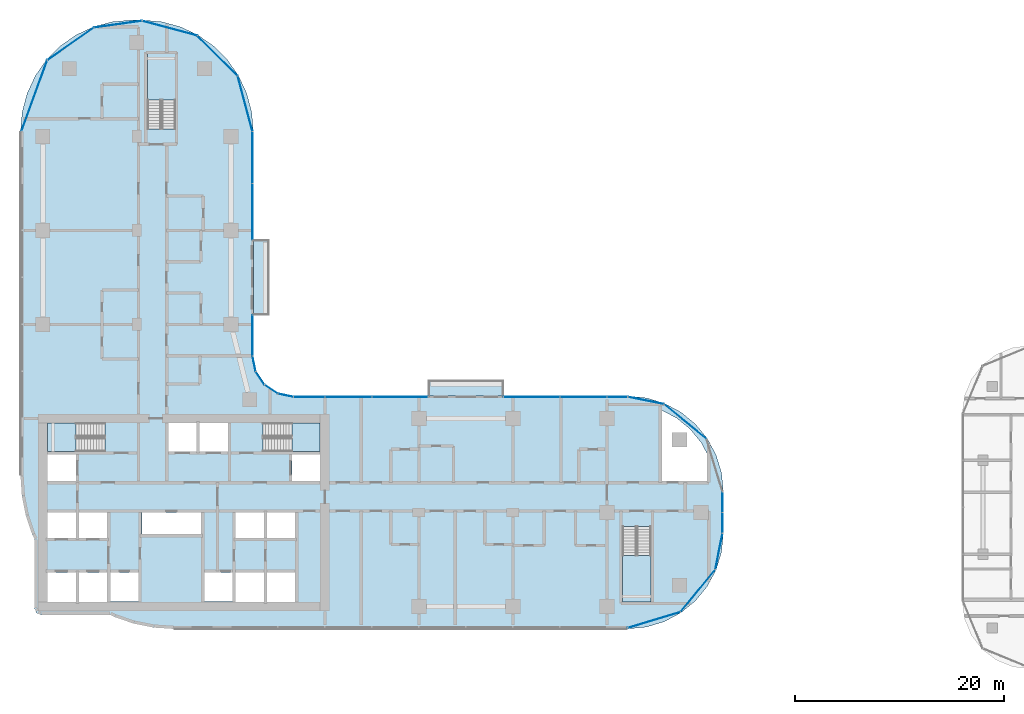
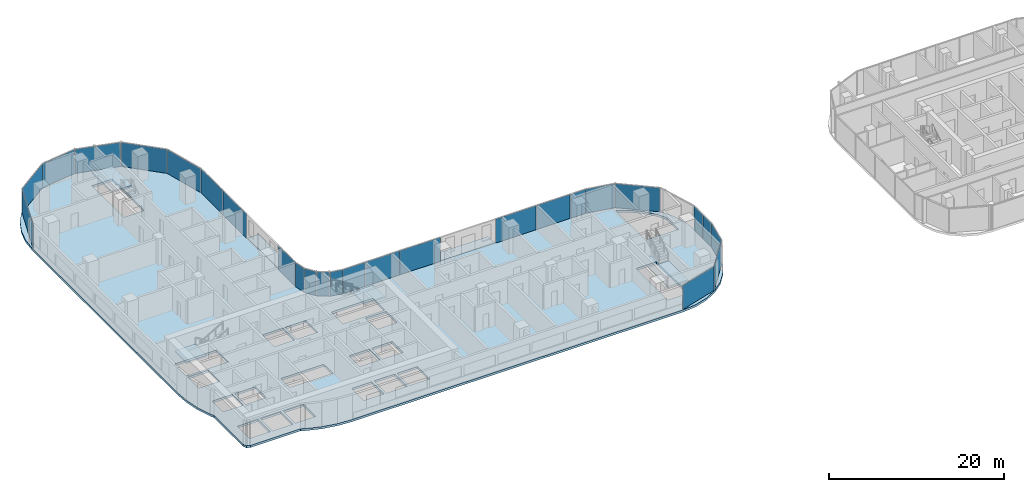
# One storey, part 13 of 32: 26 plates, 7 slabs, 13 elements without a shape of their own.
"""IFC4 building model written with IfcOpenShell, lengths in metres."""

from ifc_helpers import new_model, si_unit, direction, frame, origin, origin_2d, place, context, subcontext, project, spatial, polyline, rectangle, outline, extrude, material, layer, layer_set, type_object, element, aggregate, save


model = new_model("IFC4")

# Units and contexts
model_context = context("Model", 3, precision=1e-05, world=origin(), true_north=direction((0.0, 1.0)))
body_context = subcontext(model_context, "Body", "Model", "MODEL_VIEW")
ifc_project = project(units=[si_unit("LENGTHUNIT", "METRE"), si_unit("AREAUNIT", "SQUARE_METRE"), si_unit("VOLUMEUNIT", "CUBIC_METRE"), si_unit("PLANEANGLEUNIT", "RADIAN"), si_unit("MASSUNIT", "GRAM", prefix="KILO")], contexts=[model_context])

# Site, building, storey
site_placement = place(None, origin())
site = spatial("IfcSite", under=ifc_project, at=site_placement, CompositionType="ELEMENT")
building_placement = place(site_placement, origin())
building = spatial("IfcBuilding", under=site, at=building_placement, Name="Ogive Portal Towers", CompositionType="ELEMENT")
storey_placement = place(building_placement, frame((0.0, 0.0, 55.699951171875)))
storey = spatial("IfcBuildingStorey", under=building, at=storey_placement, Name="L12", CompositionType="ELEMENT", Elevation=55.699951171875)

# Slabs
ifc_material_1 = material(Name="Concrete C40/50", Category="concrete")
ifc_layer_1 = layer(ifc_material_1, 0.199951171875)
ifc_layer_set_1 = layer_set([ifc_layer_1], Name="BALCONY SLAB 200")
slab_type_1 = type_object("IfcSlabType", Name="BALCONY SLAB 200", PredefinedType="FLOOR", material=ifc_layer_set_1)
slab_1_placement = place(storey_placement, frame((0.0, 0.0, -0.199951171875)))
element("IfcSlab", 1, at=slab_1_placement, inside=storey, type_object=slab_type_1, Name="Balcony T2", PredefinedType="FLOOR", context=body_context, shape_type="SweptSolid", body=[
    extrude(outline(polyline([(68.39990234375, 41.64501953125), (75.60009765625, 41.64501953125), (75.60009765625, 43.14501953125), (68.39990234375, 43.14501953125), (68.39990234375, 41.64501953125)])), origin(), (0.0, 0.0, 1.0), 0.199951171875),
])
slab_2_placement = place(storey_placement, frame((0.0, 0.0, -0.199951171875)))
element("IfcSlab", 2, at=slab_2_placement, inside=storey, type_object=slab_type_1, Name="Balcony S1", PredefinedType="FLOOR", context=body_context, shape_type="SweptSolid", body=[
    extrude(outline(polyline([(51.64501953125, 49.39990234375), (53.14501953125, 49.39990234375), (53.14501953125, 56.60009765625), (51.64501953125, 56.60009765625), (51.64501953125, 49.39990234375)])), origin(), (0.0, 0.0, 1.0), 0.199951171875),
])

# Curtain wall, plates
ifc_material_2 = material(Name="Glass, clear low-iron insulated glazing", Category="glass")
curtain_wall_type = type_object("IfcCurtainWallType", Name="CW FRONT RIBBON 4500", PredefinedType="NOTDEFINED", material=ifc_material_2)
curtain_wall_1_placement = place(storey_placement, origin())
curtain_wall_1 = element("IfcCurtainWall", 3, at=curtain_wall_1_placement, inside=storey, type_object=curtain_wall_type, Name="A:L12:f12:cw0", PredefinedType="NOTDEFINED")
ifc_layer_2 = layer(ifc_material_2, 0.028076171875)
ifc_layer_set_2 = layer_set([ifc_layer_2], Name="CW PANEL IGU 28")
plate_type = type_object("IfcPlateType", Name="CW PANEL IGU 28", PredefinedType="CURTAIN_PANEL", material=ifc_layer_set_2)
plate_1_placement = place(storey_placement, frame((96.56494140625, 29.50390625, 0.0), z_axis=(0.0, 0.0, 1.0), x_axis=(0.0, 1.0, 0.0)))
plate_1 = element("IfcPlate", 4, at=plate_1_placement, type_object=plate_type, Name="panel", PredefinedType="CURTAIN_PANEL", context=body_context, shape_type="SweptSolid", body=[
    extrude(rectangle(XDim=1.93212890625, YDim=0.028076171875, at=origin_2d()), origin(), (0.0, 0.0, 1.0), 3.340087890625),
])
plate_2_placement = place(storey_placement, frame((96.56494140625, 31.494140625, 0.0), z_axis=(0.0, 0.0, 1.0), x_axis=(0.0, 1.0, 0.0)))
plate_2 = element("IfcPlate", 5, at=plate_2_placement, type_object=plate_type, Name="panel", PredefinedType="CURTAIN_PANEL", context=body_context, shape_type="SweptSolid", body=[
    extrude(rectangle(XDim=1.92822265625, YDim=0.028076171875, at=origin_2d()), origin(), (0.0, 0.0, 1.0), 3.340087890625),
])
aggregate(curtain_wall_1, [plate_1, plate_2])

curtain_wall_2_placement = place(storey_placement, origin())
curtain_wall_2 = element("IfcCurtainWall", 6, at=curtain_wall_2_placement, inside=storey, type_object=curtain_wall_type, Name="A:L12:f16:cw0", PredefinedType="NOTDEFINED")
plate_3_placement = place(storey_placement, frame((86.49609375, 41.56494140625, 0.0), z_axis=(0.0, 0.0, 1.0), x_axis=(-1.0, 0.0, 0.0)))
plate_3 = element("IfcPlate", 7, at=plate_3_placement, type_object=plate_type, Name="panel", PredefinedType="CURTAIN_PANEL", context=body_context, shape_type="SweptSolid", body=[
    extrude(rectangle(XDim=1.93212890625, YDim=0.028076171875, at=origin_2d()), origin(), (0.0, 0.0, 1.0), 3.340087890625),
])
plate_4_placement = place(storey_placement, frame((83.25, 41.56494140625, 0.0), z_axis=(0.0, 0.0, 1.0), x_axis=(-1.0, 0.0, 0.0)))
plate_4 = element("IfcPlate", 8, at=plate_4_placement, type_object=plate_type, Name="panel", PredefinedType="CURTAIN_PANEL", context=body_context, shape_type="SweptSolid", body=[
    extrude(rectangle(XDim=4.43994140625, YDim=0.028076171875, at=origin_2d()), origin(), (0.0, 0.0, 1.0), 3.340087890625),
])
plate_5_placement = place(storey_placement, frame((78.296142578125, 41.56494140625, 0.0), z_axis=(0.0, 0.0, 1.0), x_axis=(-1.0, 0.0, 0.0)))
plate_5 = element("IfcPlate", 9, at=plate_5_placement, type_object=plate_type, Name="panel", PredefinedType="CURTAIN_PANEL", context=body_context, shape_type="SweptSolid", body=[
    extrude(rectangle(XDim=5.347900390625, YDim=0.028076171875, at=origin_2d()), origin(), (0.0, 0.0, 1.0), 3.340087890625),
])
aggregate(curtain_wall_2, [plate_3, plate_4, plate_5])

curtain_wall_3_placement = place(storey_placement, origin())
curtain_wall_3 = element("IfcCurtainWall", 10, at=curtain_wall_3_placement, inside=storey, type_object=curtain_wall_type, Name="A:L12:f16:cw1", PredefinedType="NOTDEFINED")
plate_6_placement = place(storey_placement, frame((65.696044921875, 41.56494140625, 0.0), z_axis=(0.0, 0.0, 1.0), x_axis=(-1.0, 0.0, 0.0)))
plate_6 = element("IfcPlate", 11, at=plate_6_placement, type_object=plate_type, Name="panel", PredefinedType="CURTAIN_PANEL", context=body_context, shape_type="SweptSolid", body=[
    extrude(rectangle(XDim=5.33203125, YDim=0.028076171875, at=origin_2d()), origin(), (0.0, 0.0, 1.0), 3.340087890625),
])
plate_7_placement = place(storey_placement, frame((60.75, 41.56494140625, 0.0), z_axis=(0.0, 0.0, 1.0), x_axis=(-1.0, 0.0, 0.0)))
plate_7 = element("IfcPlate", 12, at=plate_7_placement, type_object=plate_type, Name="panel", PredefinedType="CURTAIN_PANEL", context=body_context, shape_type="SweptSolid", body=[
    extrude(rectangle(XDim=4.43994140625, YDim=0.028076171875, at=origin_2d()), origin(), (0.0, 0.0, 1.0), 3.340087890625),
])
plate_8_placement = place(storey_placement, frame((56.99609375, 41.56494140625, 0.0), z_axis=(0.0, 0.0, 1.0), x_axis=(-1.0, 0.0, 0.0)))
plate_8 = element("IfcPlate", 13, at=plate_8_placement, type_object=plate_type, Name="panel", PredefinedType="CURTAIN_PANEL", context=body_context, shape_type="SweptSolid", body=[
    extrude(rectangle(XDim=2.947998046875, YDim=0.028076171875, at=origin_2d()), origin(), (0.0, 0.0, 1.0), 3.340087890625),
])
aggregate(curtain_wall_3, [plate_6, plate_7, plate_8])

# Curtain wall, plate
curtain_wall_4_placement = place(storey_placement, origin())
curtain_wall_4 = element("IfcCurtainWall", 14, at=curtain_wall_4_placement, inside=storey, type_object=curtain_wall_type, Name="A:L12:f21:cw0", PredefinedType="NOTDEFINED")
plate_9_placement = place(storey_placement, frame((51.56494140625, 47.44189453125, 0.0), z_axis=(0.0, 0.0, 1.0), x_axis=(0.0, 1.0, 0.0)))
plate_9 = element("IfcPlate", 15, at=plate_9_placement, type_object=plate_type, Name="panel", PredefinedType="CURTAIN_PANEL", context=body_context, shape_type="SweptSolid", body=[
    extrude(rectangle(XDim=3.839599609375, YDim=0.028076171875, at=origin_2d()), origin(), (0.0, 0.0, 1.0), 3.340087890625),
])
aggregate(curtain_wall_4, [plate_9])

# Curtain wall, plates
curtain_wall_5_placement = place(storey_placement, origin())
curtain_wall_5 = element("IfcCurtainWall", 16, at=curtain_wall_5_placement, inside=storey, type_object=curtain_wall_type, Name="A:L12:f21:cw1", PredefinedType="NOTDEFINED")
plate_10_placement = place(storey_placement, frame((51.56494140625, 59.29541015625, 0.0), z_axis=(0.0, 0.0, 1.0), x_axis=(0.0, 1.0, 0.0)))
plate_10 = element("IfcPlate", 17, at=plate_10_placement, type_object=plate_type, Name="panel", PredefinedType="CURTAIN_PANEL", context=body_context, shape_type="SweptSolid", body=[
    extrude(rectangle(XDim=5.349365234375, YDim=0.028076171875, at=origin_2d()), origin(), (0.0, 0.0, 1.0), 3.340087890625),
])
plate_11_placement = place(storey_placement, frame((51.56494140625, 64.49462890625, 0.0), z_axis=(0.0, 0.0, 1.0), x_axis=(0.0, 1.0, 0.0)))
plate_11 = element("IfcPlate", 18, at=plate_11_placement, type_object=plate_type, Name="panel", PredefinedType="CURTAIN_PANEL", context=body_context, shape_type="SweptSolid", body=[
    extrude(rectangle(XDim=4.929443359375, YDim=0.028076171875, at=origin_2d()), origin(), (0.0, 0.0, 1.0), 3.340087890625),
])
aggregate(curtain_wall_5, [plate_10, plate_11])

curtain_wall_6_placement = place(storey_placement, origin())
curtain_wall_6 = element("IfcCurtainWall", 19, at=curtain_wall_6_placement, inside=storey, type_object=curtain_wall_type, Name="A:L12:f09:cwa", PredefinedType="NOTDEFINED")
plate_12_placement = place(storey_placement, frame((90.01123046875, 20.200439453125, 0.0), z_axis=(0.0, 0.0, 1.0), x_axis=(0.956940335732, 0.290284677254, 0.0)))
plate_12 = element("IfcPlate", 20, at=plate_12_placement, type_object=plate_type, Name="panel", PredefinedType="CURTAIN_PANEL", context=body_context, shape_type="SweptSolid", body=[
    extrude(rectangle(XDim=5.213134765625, YDim=0.028076171875, at=origin_2d()), origin(), (0.0, 0.0, 1.0), 3.340087890625),
])
plate_13_placement = place(storey_placement, frame((94.204345703125, 23.000732421875, 0.0), z_axis=(0.0, 0.0, 1.0), x_axis=(0.634393284164, 0.773010453363, 0.0)))
plate_13 = element("IfcPlate", 21, at=plate_13_placement, type_object=plate_type, Name="panel", PredefinedType="CURTAIN_PANEL", context=body_context, shape_type="SweptSolid", body=[
    extrude(rectangle(XDim=5.205078125, YDim=0.028076171875, at=origin_2d()), origin(), (0.0, 0.0, 1.0), 3.340087890625),
])
plate_14_placement = place(storey_placement, frame((96.2197265625, 26.771728515625, 0.0), z_axis=(0.0, 0.0, 1.0), x_axis=(0.195090322016, 0.980785280403, 0.0)))
plate_14 = element("IfcPlate", 22, at=plate_14_placement, type_object=plate_type, Name="panel", PredefinedType="CURTAIN_PANEL", context=body_context, shape_type="SweptSolid", body=[
    extrude(rectangle(XDim=3.480224609375, YDim=0.028076171875, at=origin_2d()), origin(), (0.0, 0.0, 1.0), 3.340087890625),
])
aggregate(curtain_wall_6, [plate_12, plate_13, plate_14])

curtain_wall_7_placement = place(storey_placement, origin())
curtain_wall_7 = element("IfcCurtainWall", 23, at=curtain_wall_7_placement, inside=storey, type_object=curtain_wall_type, Name="A:L12:f13:cwa", PredefinedType="NOTDEFINED")
plate_15_placement = place(storey_placement, frame((92.999267578125, 39.204345703125, 0.0), z_axis=(0.0, 0.0, 1.0), x_axis=(-0.773010453363, 0.634393284164, 0.0)))
plate_15 = element("IfcPlate", 24, at=plate_15_placement, type_object=plate_type, Name="panel", PredefinedType="CURTAIN_PANEL", context=body_context, shape_type="SweptSolid", body=[
    extrude(rectangle(XDim=5.205078125, YDim=0.028076171875, at=origin_2d()), origin(), (0.0, 0.0, 1.0), 3.340087890625),
])
plate_16_placement = place(storey_placement, frame((89.228271484375, 41.2197265625, 0.0), z_axis=(0.0, 0.0, 1.0), x_axis=(-0.980785280403, 0.195090322016, 0.0)))
plate_16 = element("IfcPlate", 25, at=plate_16_placement, type_object=plate_type, Name="panel", PredefinedType="CURTAIN_PANEL", context=body_context, shape_type="SweptSolid", body=[
    extrude(rectangle(XDim=3.480224609375, YDim=0.028076171875, at=origin_2d()), origin(), (0.0, 0.0, 1.0), 3.340087890625),
])
aggregate(curtain_wall_7, [plate_15, plate_16])

curtain_wall_8_placement = place(storey_placement, origin())
curtain_wall_8 = element("IfcCurtainWall", 26, at=curtain_wall_8_placement, inside=storey, type_object=curtain_wall_type, Name="A:L12:f17:cwa", PredefinedType="NOTDEFINED")
plate_17_placement = place(storey_placement, frame((54.742919921875, 41.714111328125, 0.0), z_axis=(0.0, 0.0, 1.0), x_axis=(-0.980785280403, 0.195090322016, 0.0)))
plate_17 = element("IfcPlate", 27, at=plate_17_placement, type_object=plate_type, Name="panel", PredefinedType="CURTAIN_PANEL", context=body_context, shape_type="SweptSolid", body=[
    extrude(rectangle(XDim=1.468017578125, YDim=0.028076171875, at=origin_2d()), origin(), (0.0, 0.0, 1.0), 3.340087890625),
])
plate_18_placement = place(storey_placement, frame((53.35498046875, 42.289794921875, 0.0), z_axis=(0.0, 0.0, 1.0), x_axis=(-0.831469612303, 0.55557023302, 0.0)))
plate_18 = element("IfcPlate", 28, at=plate_18_placement, type_object=plate_type, Name="panel", PredefinedType="CURTAIN_PANEL", context=body_context, shape_type="SweptSolid", body=[
    extrude(rectangle(XDim=1.47607421875, YDim=0.028076171875, at=origin_2d()), origin(), (0.0, 0.0, 1.0), 3.340087890625),
])
plate_19_placement = place(storey_placement, frame((52.289794921875, 43.35498046875, 0.0), z_axis=(0.0, 0.0, 1.0), x_axis=(-0.55557023302, 0.831469612303, 0.0)))
plate_19 = element("IfcPlate", 29, at=plate_19_placement, type_object=plate_type, Name="panel", PredefinedType="CURTAIN_PANEL", context=body_context, shape_type="SweptSolid", body=[
    extrude(rectangle(XDim=1.47607421875, YDim=0.028076171875, at=origin_2d()), origin(), (0.0, 0.0, 1.0), 3.340087890625),
])
plate_20_placement = place(storey_placement, frame((51.714111328125, 44.742919921875, 0.0), z_axis=(0.0, 0.0, 1.0), x_axis=(-0.195090322016, 0.980785280403, 0.0)))
plate_20 = element("IfcPlate", 30, at=plate_20_placement, type_object=plate_type, Name="panel", PredefinedType="CURTAIN_PANEL", context=body_context, shape_type="SweptSolid", body=[
    extrude(rectangle(XDim=1.468017578125, YDim=0.028076171875, at=origin_2d()), origin(), (0.0, 0.0, 1.0), 3.340087890625),
])
aggregate(curtain_wall_8, [plate_17, plate_18, plate_19, plate_20])

curtain_wall_9_placement = place(storey_placement, origin())
curtain_wall_9 = element("IfcCurtainWall", 31, at=curtain_wall_9_placement, inside=storey, type_object=curtain_wall_type, Name="A:L12:f22:cwa", PredefinedType="NOTDEFINED")
plate_21_placement = place(storey_placement, frame((50.85595703125, 69.63525390625, 0.0), z_axis=(0.0, 0.0, 1.0), x_axis=(-0.258819045103, 0.965925826289, 0.0)))
plate_21 = element("IfcPlate", 32, at=plate_21_placement, type_object=plate_type, Name="panel", PredefinedType="CURTAIN_PANEL", context=body_context, shape_type="SweptSolid", body=[
    extrude(rectangle(XDim=5.418212890625, YDim=0.028076171875, at=origin_2d()), origin(), (0.0, 0.0, 1.0), 3.340087890625),
])
plate_22_placement = place(storey_placement, frame((48.214111328125, 74.214111328125, 0.0), z_axis=(0.0, 0.0, 1.0), x_axis=(-0.707106781187, 0.707106781187, 0.0)))
plate_22 = element("IfcPlate", 33, at=plate_22_placement, type_object=plate_type, Name="panel", PredefinedType="CURTAIN_PANEL", context=body_context, shape_type="SweptSolid", body=[
    extrude(rectangle(XDim=5.407470703125, YDim=0.028076171875, at=origin_2d()), origin(), (0.0, 0.0, 1.0), 3.340087890625),
])
plate_23_placement = place(storey_placement, frame((43.637939453125, 76.855224609375, 0.0), z_axis=(0.0, 0.0, 1.0), x_axis=(-0.965925826289, 0.258819045103, 0.0)))
plate_23 = element("IfcPlate", 34, at=plate_23_placement, type_object=plate_type, Name="panel", PredefinedType="CURTAIN_PANEL", context=body_context, shape_type="SweptSolid", body=[
    extrude(rectangle(XDim=5.41259765625, YDim=0.028076171875, at=origin_2d()), origin(), (0.0, 0.0, 1.0), 3.340087890625),
])
plate_24_placement = place(storey_placement, frame((38.692138671875, 77.244873046875, 0.0), z_axis=(0.0, 0.0, 1.0), x_axis=(-0.990567282946, -0.137027216118, 0.0)))
plate_24 = element("IfcPlate", 35, at=plate_24_placement, type_object=plate_type, Name="panel", PredefinedType="CURTAIN_PANEL", context=body_context, shape_type="SweptSolid", body=[
    extrude(rectangle(XDim=4.589599609375, YDim=0.028076171875, at=origin_2d()), origin(), (0.0, 0.0, 1.0), 3.340087890625),
])
plate_25_placement = place(storey_placement, frame((34.150634765625, 75.35888671875, 0.0), z_axis=(0.0, 0.0, 1.0), x_axis=(-0.819152044289, -0.573576436351, 0.0)))
plate_25 = element("IfcPlate", 36, at=plate_25_placement, type_object=plate_type, Name="panel", PredefinedType="CURTAIN_PANEL", context=body_context, shape_type="SweptSolid", body=[
    extrude(rectangle(XDim=5.40576171875, YDim=0.028076171875, at=origin_2d()), origin(), (0.0, 0.0, 1.0), 3.340087890625),
])
plate_26_placement = place(storey_placement, frame((30.673583984375, 70.388671875, 0.0), z_axis=(0.0, 0.0, 1.0), x_axis=(-0.342020143326, -0.939692620786, 0.0)))
plate_26 = element("IfcPlate", 37, at=plate_26_placement, type_object=plate_type, Name="panel", PredefinedType="CURTAIN_PANEL", context=body_context, shape_type="SweptSolid", body=[
    extrude(rectangle(XDim=7.182373046875, YDim=0.028076171875, at=origin_2d()), origin(), (0.0, 0.0, 1.0), 3.340087890625),
])
aggregate(curtain_wall_9, [plate_21, plate_22, plate_23, plate_24, plate_25, plate_26])

# Stair, slab
stair_type = type_object("IfcStairType", Name="INT-STAIR", PredefinedType="HALF_TURN_STAIR", material=ifc_material_1)
stair_1_placement = place(storey_placement, origin())
stair_1 = element("IfcStair", 38, at=stair_1_placement, inside=storey, type_object=stair_type, Name="L12 Exit Stair ST-A1", PredefinedType="HALF_TURN_STAIR")
ifc_layer_3 = layer(ifc_material_1, 0.199951171875)
ifc_layer_set_3 = layer_set([ifc_layer_3], Name="INT-LANDING")
slab_type_2 = type_object("IfcSlabType", Name="INT-LANDING", PredefinedType="LANDING", material=ifc_layer_set_3)
slab_3_placement = place(storey_placement, frame((0.0, 0.0, 1.650146484375)))
slab_3 = element("IfcSlab", 39, at=slab_3_placement, type_object=slab_type_2, Name="ST-A1 landing 1", PredefinedType="LANDING", context=body_context, shape_type="SweptSolid", body=[
    extrude(outline(polyline([(34.64990234375, 39.050048828125), (31.949951171875, 39.050048828125), (31.949951171875, 36.35009765625), (34.64990234375, 36.35009765625), (34.64990234375, 39.050048828125)])), origin(), (0.0, 0.0, 1.0), 0.199951171875),
])
aggregate(stair_1, [slab_3])

stair_2_placement = place(storey_placement, origin())
stair_2 = element("IfcStair", 40, at=stair_2_placement, inside=storey, type_object=stair_type, Name="L12 Exit Stair ST-A2", PredefinedType="HALF_TURN_STAIR")
slab_4_placement = place(storey_placement, frame((0.0, 0.0, 1.650146484375)))
slab_4 = element("IfcSlab", 41, at=slab_4_placement, type_object=slab_type_2, Name="ST-A2 landing 1", PredefinedType="LANDING", context=body_context, shape_type="SweptSolid", body=[
    extrude(outline(polyline([(55.35009765625, 36.35009765625), (58.050048828125, 36.35009765625), (58.050048828125, 39.050048828125), (55.35009765625, 39.050048828125), (55.35009765625, 36.35009765625)])), origin(), (0.0, 0.0, 1.0), 0.199951171875),
])
aggregate(stair_2, [slab_4])

stair_3_placement = place(storey_placement, origin())
stair_3 = element("IfcStair", 42, at=stair_3_placement, inside=storey, type_object=stair_type, Name="L12 Exit Stair ST-A3", PredefinedType="HALF_TURN_STAIR")
slab_5_placement = place(storey_placement, frame((0.0, 0.0, 1.650146484375)))
slab_5 = element("IfcSlab", 43, at=slab_5_placement, type_object=slab_type_2, Name="ST-A3 landing 1", PredefinedType="LANDING", context=body_context, shape_type="SweptSolid", body=[
    extrude(outline(polyline([(44.199951171875, 70.0), (44.199951171875, 74.449951171875), (41.5, 74.449951171875), (41.5, 70.0), (44.199951171875, 70.0)])), origin(), (0.0, 0.0, 1.0), 0.199951171875),
])
aggregate(stair_3, [slab_5])

stair_4_placement = place(storey_placement, origin())
stair_4 = element("IfcStair", 44, at=stair_4_placement, inside=storey, type_object=stair_type, Name="L12 Exit Stair ST-A4", PredefinedType="HALF_TURN_STAIR")
slab_6_placement = place(storey_placement, frame((0.0, 0.0, 1.650146484375)))
slab_6 = element("IfcSlab", 45, at=slab_6_placement, type_object=slab_type_2, Name="ST-A4 landing 1", PredefinedType="LANDING", context=body_context, shape_type="SweptSolid", body=[
    extrude(outline(polyline([(87.0, 26.3701171875), (87.0, 21.949951171875), (89.699951171875, 21.949951171875), (89.699951171875, 26.3701171875), (87.0, 26.3701171875)])), origin(), (0.0, 0.0, 1.0), 0.199951171875),
])
aggregate(stair_4, [slab_6])

# Slab
ifc_material_3 = material(Name="Concrete C45/55", Category="concrete")
ifc_layer_4 = layer(ifc_material_3, 0.300048828125)
ifc_layer_set_4 = layer_set([ifc_layer_4], Name="PT FLAT PLATE 300")
slab_type_3 = type_object("IfcSlabType", Name="PT FLAT PLATE 300", PredefinedType="FLOOR", material=ifc_layer_set_4)
slab_7_placement = place(storey_placement, frame((0.0, 0.0, -0.300048828125)))
element("IfcSlab", 46, at=slab_7_placement, inside=storey, type_object=slab_type_3, Name="Floor slab L12", PredefinedType="FLOOR", context=body_context, shape_type="SweptSolid", body=[
    extrude(outline(polyline([(29.85400390625, 30.209716796875), (30.4697265625, 28.3955078125), (30.699951171875, 27.9287109375), (30.699951171875, 21.300048828125), (30.875732421875, 20.875732421875), (31.300048828125, 20.699951171875), (37.9287109375, 20.699951171875), (38.3955078125, 20.4697265625), (40.209716796875, 19.85400390625), (42.08837890625, 19.480224609375), (44.0, 19.35498046875), (87.5, 19.35498046875), (89.2841796875, 19.53076171875), (90.99951171875, 20.051025390625), (92.580810546875, 20.896240234375), (93.966552734375, 22.033447265625), (95.103759765625, 23.419189453125), (95.948974609375, 25.00048828125), (96.46923828125, 26.7158203125), (96.64501953125, 28.5), (96.64501953125, 32.5), (96.46923828125, 34.2841796875), (95.948974609375, 35.99951171875), (95.103759765625, 37.580810546875), (93.966552734375, 38.966552734375), (92.580810546875, 40.103759765625), (90.99951171875, 40.948974609375), (89.2841796875, 41.46923828125), (87.5, 41.64501953125), (55.5, 41.64501953125), (54.02490234375, 41.9384765625), (52.774169921875, 42.774169921875), (51.9384765625, 44.02490234375), (51.64501953125, 45.5), (51.64501953125, 67.0), (51.4833984375, 68.848388671875), (51.0029296875, 70.640869140625), (50.21875, 72.322509765625), (49.154541015625, 73.842529296875), (47.842529296875, 75.154541015625), (46.322509765625, 76.21875), (44.640869140625, 77.0029296875), (42.848388671875, 77.4833984375), (41.0, 77.64501953125), (40.0, 77.64501953125), (38.151611328125, 77.4833984375), (36.359130859375, 77.0029296875), (34.677490234375, 76.21875), (33.157470703125, 75.154541015625), (31.845458984375, 73.842529296875), (30.78125, 72.322509765625), (29.9970703125, 70.640869140625), (29.5166015625, 68.848388671875), (29.35498046875, 67.0), (29.35498046875, 34.0), (29.480224609375, 32.08837890625), (29.85400390625, 30.209716796875)]), holes=[polyline([(34.64990234375, 24.75), (34.64990234375, 21.949951171875), (31.949951171875, 21.949951171875), (31.949951171875, 24.75), (34.64990234375, 24.75)]), polyline([(37.64990234375, 24.75), (37.64990234375, 21.949951171875), (34.949951171875, 21.949951171875), (34.949951171875, 24.75), (37.64990234375, 24.75)]), polyline([(40.6298828125, 21.969970703125), (37.969970703125, 21.969970703125), (37.969970703125, 24.72998046875), (40.6298828125, 24.72998046875), (40.6298828125, 21.969970703125)]), polyline([(34.64990234375, 28.050048828125), (31.949951171875, 28.050048828125), (31.949951171875, 30.5), (34.64990234375, 30.5), (34.64990234375, 28.050048828125)]), polyline([(37.64990234375, 28.050048828125), (34.949951171875, 28.050048828125), (34.949951171875, 30.5), (37.64990234375, 30.5), (37.64990234375, 28.050048828125)]), polyline([(46.6298828125, 28.447021484375), (40.969970703125, 28.447021484375), (40.969970703125, 30.47998046875), (46.6298828125, 30.47998046875), (46.6298828125, 28.447021484375)]), polyline([(34.64990234375, 33.5), (31.949951171875, 33.5), (31.949951171875, 36.050048828125), (34.64990234375, 36.050048828125), (34.64990234375, 33.5)]), polyline([(37.447998046875, 39.048095703125), (37.447998046875, 36.35205078125), (31.951904296875, 36.35205078125), (31.951904296875, 39.048095703125), (37.447998046875, 39.048095703125)]), polyline([(46.199951171875, 39.050048828125), (46.199951171875, 36.35009765625), (43.5, 36.35009765625), (43.5, 39.050048828125), (46.199951171875, 39.050048828125)]), polyline([(49.199951171875, 36.35009765625), (46.5, 36.35009765625), (46.5, 39.050048828125), (49.199951171875, 39.050048828125), (49.199951171875, 36.35009765625)]), polyline([(44.197998046875, 67.201904296875), (41.501953125, 67.201904296875), (41.501953125, 74.447998046875), (44.197998046875, 74.447998046875), (44.197998046875, 67.201904296875)]), polyline([(49.6298828125, 21.969970703125), (46.969970703125, 21.969970703125), (46.969970703125, 24.72998046875), (49.6298828125, 24.72998046875), (49.6298828125, 21.969970703125)]), polyline([(52.64990234375, 24.75), (52.64990234375, 21.949951171875), (49.949951171875, 21.949951171875), (49.949951171875, 24.75), (52.64990234375, 24.75)]), polyline([(55.64990234375, 21.949951171875), (52.949951171875, 21.949951171875), (52.949951171875, 24.75), (55.64990234375, 24.75), (55.64990234375, 21.949951171875)]), polyline([(87.001953125, 29.16796875), (89.697998046875, 29.16796875), (89.697998046875, 21.951904296875), (87.001953125, 21.951904296875), (87.001953125, 29.16796875)]), polyline([(52.64990234375, 30.5), (52.64990234375, 28.050048828125), (49.949951171875, 28.050048828125), (49.949951171875, 30.5), (52.64990234375, 30.5)]), polyline([(55.64990234375, 28.050048828125), (52.949951171875, 28.050048828125), (52.949951171875, 30.5), (55.64990234375, 30.5), (55.64990234375, 28.050048828125)]), polyline([(58.050048828125, 36.050048828125), (58.050048828125, 33.5), (55.35009765625, 33.5), (55.35009765625, 36.050048828125), (58.050048828125, 36.050048828125)]), polyline([(95.080078125, 36.14013671875), (95.080078125, 33.52001953125), (90.77001953125, 33.52001953125), (90.77001953125, 40.27783203125), (92.18994140625, 39.518798828125), (93.468994140625, 38.468994140625), (94.518798828125, 37.18994140625), (95.080078125, 36.14013671875)]), polyline([(52.552001953125, 36.35205078125), (52.552001953125, 39.048095703125), (58.048095703125, 39.048095703125), (58.048095703125, 36.35205078125), (52.552001953125, 36.35205078125)])]), origin(), (0.0, 0.0, 1.0), 0.300048828125),
])

save(model, "model.ifc")
